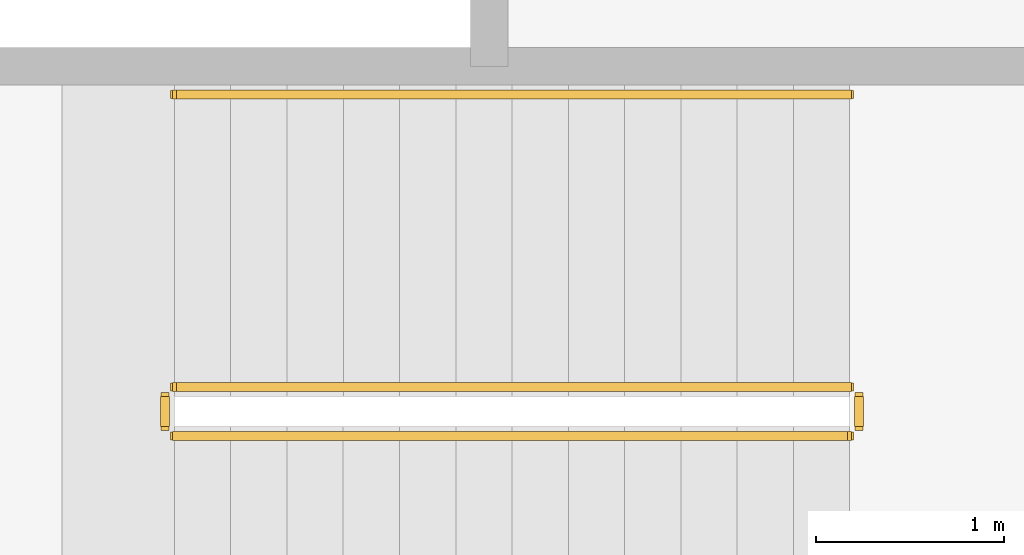
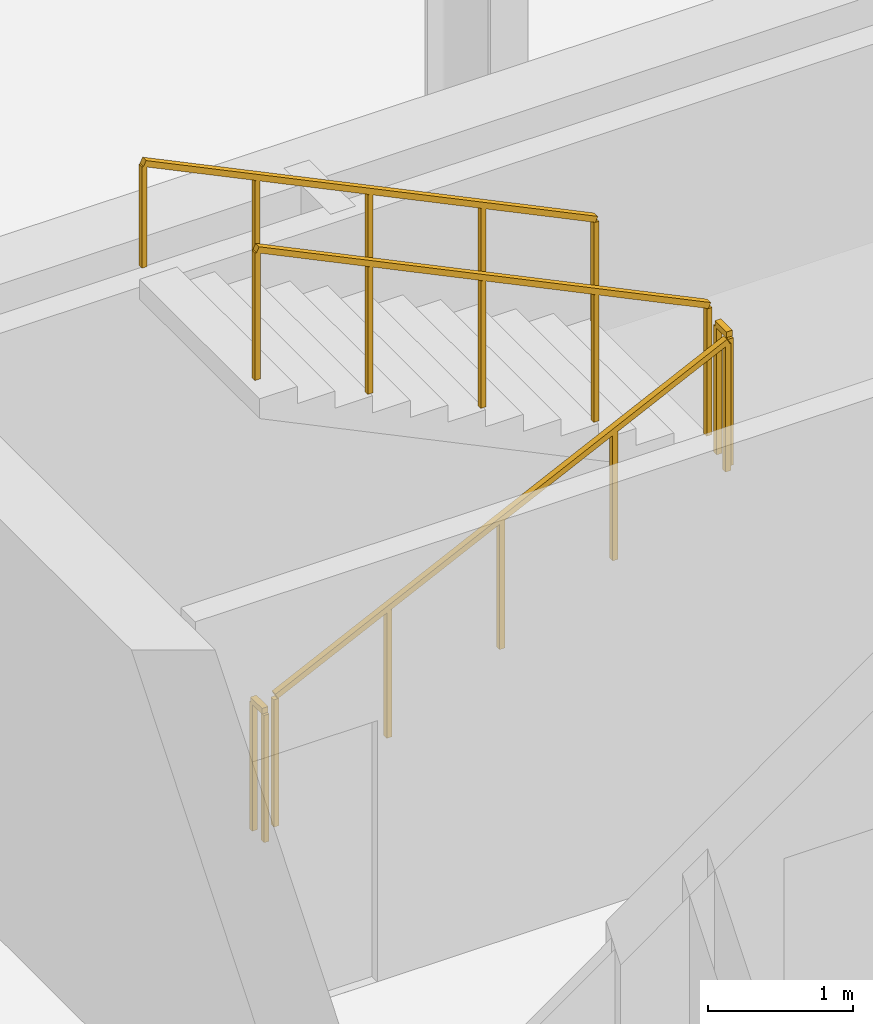
# One storey, part 24 of 25: 5 railings.
"""IFC4 building model written with IfcOpenShell, lengths in metres."""

from ifc_helpers import new_model, si_unit, direction, frame, origin, origin_2d, place, context, subcontext, project, spatial, rectangle, extrude, material, type_object, element, save


model = new_model("IFC4")

# Units and contexts
model_context = context("Model", 3, precision=1e-05, world=origin(), true_north=direction((0.0, 1.0)))
body_context = subcontext(model_context, "Body", "Model", "MODEL_VIEW")
ifc_project = project(units=[si_unit("LENGTHUNIT", "METRE"), si_unit("AREAUNIT", "SQUARE_METRE"), si_unit("VOLUMEUNIT", "CUBIC_METRE"), si_unit("PLANEANGLEUNIT", "RADIAN"), si_unit("MASSUNIT", "GRAM", prefix="KILO"), si_unit("THERMODYNAMICTEMPERATUREUNIT", "KELVIN"), si_unit("POWERUNIT", "WATT")], contexts=[model_context])

# Site, building, storey
site_placement = place(None, origin())
site = spatial("IfcSite", under=ifc_project, at=site_placement, CompositionType="ELEMENT")
building_placement = place(site_placement, origin())
building = spatial("IfcBuilding", under=site, at=building_placement, Name="Svarakhadi Broadcast Tower", CompositionType="ELEMENT")
storey_placement = place(building_placement, frame((0.0, 0.0, 212.39990234375)))
storey = spatial("IfcBuildingStorey", under=building, at=storey_placement, Name="L52", CompositionType="ELEMENT", Elevation=212.39990234375)

# Railings
ifc_material = material(Name="Anodised Bronze Aluminium AA 6063-T6", Category="aluminium")
railing_type_1 = type_object("IfcRailingType", Name="Guard_Stair_GR01", PredefinedType="GUARDRAIL", material=ifc_material)
railing_1_placement = place(storey_placement, frame((7.97998046875, 24.969970703125, 0.144287109375)))
element("IfcRailing", 1, at=railing_1_placement, inside=storey, type_object=railing_type_1, Name="L52 ST-01 stair guard 1", PredefinedType="GUARDRAIL", context=body_context, shape_type="SweptSolid", body=[
    extrude(rectangle(XDim=0.048095703125, YDim=0.048095703125, at=origin_2d()), frame((0.0, 0.0, 1.09619140625), z_axis=(0.901262522062, 0.0, 0.433273431364), x_axis=(0.0, 1.0, 0.0)), (0.0, 0.0, 1.0), 3.994384765625),
    extrude(rectangle(XDim=0.0419921875, YDim=0.0419921875, at=origin_2d()), origin(), (0.0, 0.0, 1.0), 1.072021484375),
    extrude(rectangle(XDim=0.0419921875, YDim=0.0419921875, at=origin_2d()), frame((0.89990234375, 0.0, 0.4326171875)), (0.0, 0.0, 1.0), 1.072021484375),
    extrude(rectangle(XDim=0.0419921875, YDim=0.0419921875, at=origin_2d()), frame((1.800048828125, 0.0, 0.865234375)), (0.0, 0.0, 1.0), 1.072021484375),
    extrude(rectangle(XDim=0.0419921875, YDim=0.0419921875, at=origin_2d()), frame((2.7001953125, 0.0, 1.298095703125)), (0.0, 0.0, 1.0), 1.072021484375),
    extrude(rectangle(XDim=0.0419921875, YDim=0.0419921875, at=origin_2d()), frame((3.60009765625, 0.0, 1.730712890625)), (0.0, 0.0, 1.0), 1.072021484375),
])
railing_2_placement = place(storey_placement, frame((11.6298828125, 25.02001953125, 1.875)))
element("IfcRailing", 2, at=railing_2_placement, inside=storey, type_object=railing_type_1, Name="L52 ST-01 stair guard 2", PredefinedType="GUARDRAIL", context=body_context, shape_type="SweptSolid", body=[
    extrude(rectangle(XDim=0.048095703125, YDim=0.048095703125, at=origin_2d()), frame((0.0, 0.0, 1.09619140625), z_axis=(0.0, 1.0, 0.0), x_axis=(-1.0, 0.0, 0.0)), (0.0, 0.0, 1.0), 0.159912109375),
    extrude(rectangle(XDim=0.0419921875, YDim=0.0419921875, at=origin_2d()), origin(), (0.0, 0.0, 1.0), 1.072021484375),
    extrude(rectangle(XDim=0.0419921875, YDim=0.0419921875, at=origin_2d()), frame((0.0, 0.159912109375, 0.0)), (0.0, 0.0, 1.0), 1.072021484375),
])
railing_3_placement = place(storey_placement, frame((11.580078125, 25.22998046875, 2.019287109375)))
element("IfcRailing", 3, at=railing_3_placement, inside=storey, type_object=railing_type_1, Name="L52 ST-01 stair guard 3", PredefinedType="GUARDRAIL", context=body_context, shape_type="SweptSolid", body=[
    extrude(rectangle(XDim=0.048095703125, YDim=0.048095703125, at=origin_2d()), frame((0.0, 0.0, 1.09619140625), z_axis=(-0.901262522062, 0.0, 0.433273431364), x_axis=(0.0, -1.0, 0.0)), (0.0, 0.0, 1.0), 3.994384765625),
    extrude(rectangle(XDim=0.0419921875, YDim=0.0419921875, at=origin_2d()), origin(), (0.0, 0.0, 1.0), 1.072021484375),
    extrude(rectangle(XDim=0.0419921875, YDim=0.0419921875, at=origin_2d()), frame((-0.89990234375, 0.0, 0.4326171875)), (0.0, 0.0, 1.0), 1.072021484375),
    extrude(rectangle(XDim=0.0419921875, YDim=0.0419921875, at=origin_2d()), frame((-1.800048828125, 0.0, 0.865234375)), (0.0, 0.0, 1.0), 1.072021484375),
    extrude(rectangle(XDim=0.0419921875, YDim=0.0419921875, at=origin_2d()), frame((-2.7001953125, 0.0, 1.298095703125)), (0.0, 0.0, 1.0), 1.072021484375),
    extrude(rectangle(XDim=0.0419921875, YDim=0.0419921875, at=origin_2d()), frame((-3.60009765625, 0.0, 1.730712890625)), (0.0, 0.0, 1.0), 1.072021484375),
])
railing_4_placement = place(storey_placement, frame((7.929931640625, 25.02001953125, 0.0)))
element("IfcRailing", 4, at=railing_4_placement, inside=storey, type_object=railing_type_1, Name="L52 ST-01 stair guard 4", PredefinedType="GUARDRAIL", context=body_context, shape_type="SweptSolid", body=[
    extrude(rectangle(XDim=0.048095703125, YDim=0.048095703125, at=origin_2d()), frame((0.0, 0.0, 1.09619140625), z_axis=(0.0, 1.0, 0.0), x_axis=(-1.0, 0.0, 0.0)), (0.0, 0.0, 1.0), 0.159912109375),
    extrude(rectangle(XDim=0.0419921875, YDim=0.0419921875, at=origin_2d()), origin(), (0.0, 0.0, 1.0), 1.072021484375),
    extrude(rectangle(XDim=0.0419921875, YDim=0.0419921875, at=origin_2d()), frame((0.0, 0.159912109375, 0.0)), (0.0, 0.0, 1.0), 1.072021484375),
])
railing_type_2 = type_object("IfcRailingType", Name="Handrail_Stair_HR01", PredefinedType="HANDRAIL", material=ifc_material)
railing_5_placement = place(storey_placement, frame((11.580078125, 26.7900390625, 2.019287109375)))
element("IfcRailing", 5, at=railing_5_placement, inside=storey, type_object=railing_type_2, Name="L52 ST-01 stair handrail 2", PredefinedType="HANDRAIL", context=body_context, shape_type="SweptSolid", body=[
    extrude(rectangle(XDim=0.048095703125, YDim=0.048095703125, at=origin_2d()), frame((0.0, 0.0, 0.8759765625), z_axis=(-0.901262522062, 0.0, 0.433273431364), x_axis=(0.0, -1.0, 0.0)), (0.0, 0.0, 1.0), 3.994384765625),
    extrude(rectangle(XDim=0.0419921875, YDim=0.0419921875, at=origin_2d()), origin(), (0.0, 0.0, 1.0), 0.851806640625),
    extrude(rectangle(XDim=0.0419921875, YDim=0.0419921875, at=origin_2d()), frame((-0.89990234375, 0.0, 0.4326171875)), (0.0, 0.0, 1.0), 0.851806640625),
    extrude(rectangle(XDim=0.0419921875, YDim=0.0419921875, at=origin_2d()), frame((-1.800048828125, 0.0, 0.865234375)), (0.0, 0.0, 1.0), 0.851806640625),
    extrude(rectangle(XDim=0.0419921875, YDim=0.0419921875, at=origin_2d()), frame((-2.7001953125, 0.0, 1.298095703125)), (0.0, 0.0, 1.0), 0.851806640625),
    extrude(rectangle(XDim=0.0419921875, YDim=0.0419921875, at=origin_2d()), frame((-3.60009765625, 0.0, 1.730712890625)), (0.0, 0.0, 1.0), 0.851806640625),
])

save(model, "model.ifc")
